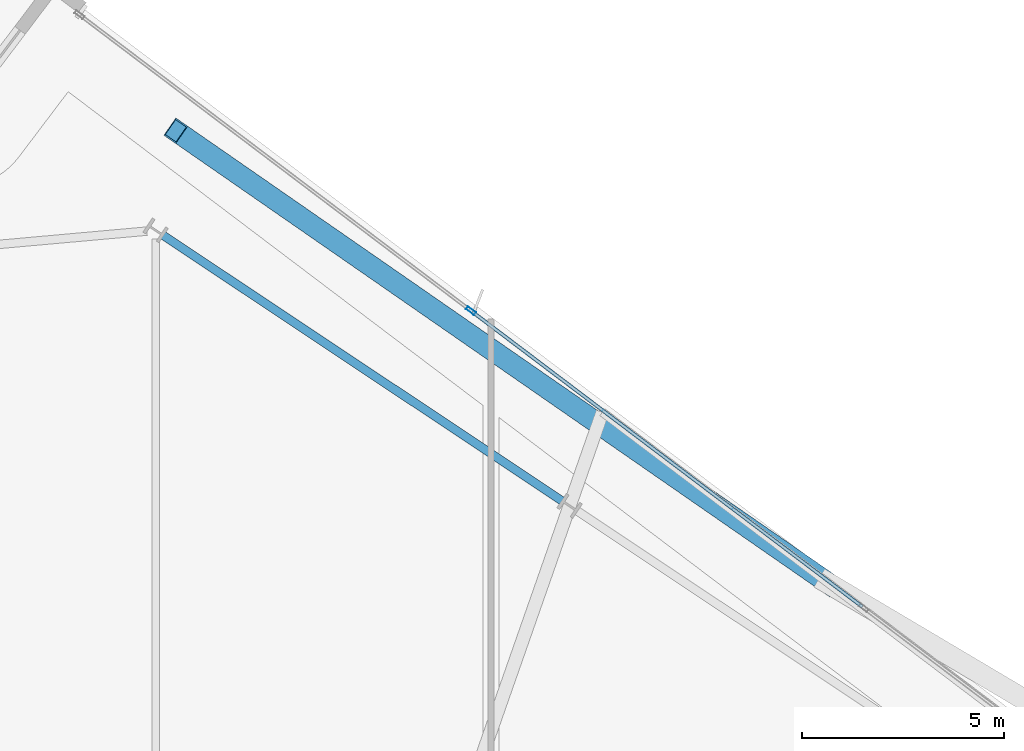
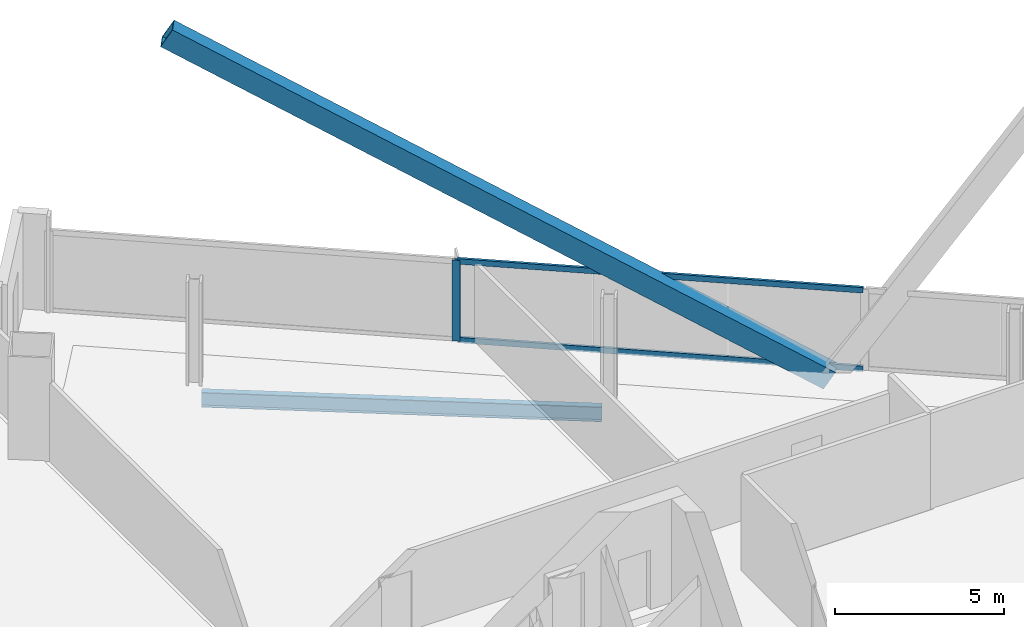
# One storey, part 24 of 34: 4 members, 1 beam, 1 element without a shape of its own.
"""IFC4 building model written with IfcOpenShell, lengths in metres."""

from ifc_helpers import new_model, si_unit, direction, frame, origin, origin_2d, place, context, subcontext, project, spatial, hollow_rectangle, i_section, extrude, material, material_profile, profile_set, type_object, element, aggregate, save


model = new_model("IFC4")

# Units and contexts
model_context = context("Model", 3, precision=1e-05, world=origin(), true_north=direction((0.0, 1.0)))
body_context = subcontext(model_context, "Body", "Model", "MODEL_VIEW")
ifc_project = project(units=[si_unit("LENGTHUNIT", "METRE"), si_unit("AREAUNIT", "SQUARE_METRE"), si_unit("VOLUMEUNIT", "CUBIC_METRE"), si_unit("PLANEANGLEUNIT", "RADIAN"), si_unit("MASSUNIT", "GRAM", prefix="KILO")], contexts=[model_context])

# Site, building, storey
site_placement = place(None, origin())
site = spatial("IfcSite", under=ifc_project, at=site_placement, CompositionType="ELEMENT")
building_placement = place(site_placement, origin())
building = spatial("IfcBuilding", under=site, at=building_placement, Name="Haldenkirk Collegiate Tower", CompositionType="ELEMENT")
storey_placement = place(building_placement, frame((0.0, 0.0, 205.949951171875)))
storey = spatial("IfcBuildingStorey", under=building, at=storey_placement, Name="L51", CompositionType="ELEMENT", Elevation=205.949951171875)

# Beam
ifc_material_1 = material(Name="Steel ASTM A992 Grade 50", Category="steel")
ifc_material_profile_1 = material_profile(ifc_material_1, i_section(OverallWidth=0.2099609375, OverallDepth=0.537109375, WebThickness=0.010986328125, FlangeThickness=0.017333984375, at=origin_2d()), Name="W21X68")
ifc_profile_set_1 = profile_set([ifc_material_profile_1], Name="Steel ASTM A992 Grade 50")
beam_type = type_object("IfcBeamType", Name="BM-SPANDREL-W21X68", PredefinedType="SPANDREL", material=ifc_profile_set_1)
beam_placement = place(storey_placement, frame((48.266845703125, 43.96240234375, -0.54833984375), z_axis=(-0.832429330124, 0.554131221237, 0.0), x_axis=(-0.554131221237, -0.832429330124, 0.0)))
element("IfcBeam", 1, at=beam_placement, inside=storey, type_object=beam_type, Name="L51 perimeter spandrel beam 07", PredefinedType="SPANDREL", context=body_context, shape_type="SweptSolid", body=[
    extrude(i_section(OverallWidth=0.2099609375, OverallDepth=0.537109375, WebThickness=0.010986328125, FlangeThickness=0.017333984375, at=origin_2d()), origin(), (0.0, 0.0, 1.0), 11.88525390625),
])

# Curtain wall, members
ifc_material_2 = material(Name="Anodised architectural bronze aluminium", Category="aluminium")
curtain_wall_type = type_object("IfcCurtainWallType", Name="CW-SYS1B-CONVEX-HI", PredefinedType="USERDEFINED", material=ifc_material_2)
curtain_wall_placement = place(storey_placement, origin())
curtain_wall = element("IfcCurtainWall", 2, at=curtain_wall_placement, inside=storey, type_object=curtain_wall_type, Name="L51 Upper tower high-wind convex bronze unitised curtain wall", ObjectType="UNITISED CURTAIN WALL", PredefinedType="USERDEFINED")
ifc_material_profile_2 = material_profile(ifc_material_2, hollow_rectangle(XDim=0.0849609375, YDim=0.25, WallThickness=0.0048828125, at=origin_2d()), Name="CW-MUL-1B")
ifc_profile_set_2 = profile_set([ifc_material_profile_2], Name="Anodised architectural bronze aluminium")
member_type_1 = type_object("IfcMemberType", Name="CW-MUL-1B", PredefinedType="MULLION", material=ifc_profile_set_2)
member_1_placement = place(storey_placement, frame((46.003173828125, 48.676025390625, 0.0), z_axis=(0.0, 0.0, 1.0), x_axis=(0.603207402306, 0.797584371589, 0.0)))
member_1 = element("IfcMember", 3, at=member_1_placement, type_object=member_type_1, Name="CW-1B mullion 2", PredefinedType="MULLION", context=body_context, shape_type="SweptSolid", body=[
    extrude(hollow_rectangle(XDim=0.0849609375, YDim=0.25, WallThickness=0.0048828125, at=origin_2d()), origin(), (0.0, 0.0, 1.0), 2.927978515625),
])
ifc_material_profile_3 = material_profile(ifc_material_2, hollow_rectangle(XDim=0.0849609375, YDim=0.199951171875, WallThickness=0.0048828125, at=origin_2d()), Name="CW-TRN-1B")
ifc_profile_set_3 = profile_set([ifc_material_profile_3], Name="Anodised architectural bronze aluminium")
member_type_2 = type_object("IfcMemberType", Name="CW-TRN-1B", PredefinedType="USERDEFINED", material=ifc_profile_set_3)
member_2_placement = place(storey_placement, frame((46.037109375, 48.650390625, 0.04248046875), z_axis=(0.797580111822, -0.603213034695, 0.0), x_axis=(0.603213034695, 0.797580111822, 0.0)))
member_2 = element("IfcMember", 4, at=member_2_placement, type_object=member_type_2, Name="CW-1B transom 2.1", ObjectType="TRANSOM", PredefinedType="USERDEFINED", context=body_context, shape_type="SweptSolid", body=[
    extrude(hollow_rectangle(XDim=0.0849609375, YDim=0.199951171875, WallThickness=0.0048828125, at=origin_2d()), origin(), (0.0, 0.0, 1.0), 12.114990234375),
])
member_3_placement = place(storey_placement, frame((46.037109375, 48.650390625, 2.885498046875), z_axis=(0.797580111822, -0.603213034695, 0.0), x_axis=(0.603213034695, 0.797580111822, 0.0)))
member_3 = element("IfcMember", 5, at=member_3_placement, type_object=member_type_2, Name="CW-1B transom 2.2", ObjectType="TRANSOM", PredefinedType="USERDEFINED", context=body_context, shape_type="SweptSolid", body=[
    extrude(hollow_rectangle(XDim=0.0849609375, YDim=0.199951171875, WallThickness=0.0048828125, at=origin_2d()), origin(), (0.0, 0.0, 1.0), 12.114990234375),
])
aggregate(curtain_wall, [member_1, member_2, member_3])

# Member
ifc_material_3 = material(Name="Steel ASTM A572 Grade 50", Category="steel")
ifc_material_profile_4 = material_profile(ifc_material_3, hollow_rectangle(XDim=0.52001953125, YDim=0.719970703125, WallThickness=0.035888671875, at=origin_2d()), Name="BOX720X520X36")
ifc_profile_set_4 = profile_set([ifc_material_profile_4], Name="Steel ASTM A572 Grade 50")
member_type_3 = type_object("IfcMemberType", Name="MBR-MEGABRACE-BOX720X520X36", PredefinedType="BRACE", material=ifc_profile_set_4)
member_4_placement = place(storey_placement, frame((54.892578125, 41.90283203125, -0.2900390625), z_axis=(-0.713752934829, 0.494863108228, 0.495648314977), x_axis=(-0.569775272529, -0.821800546857, 0.0)))
element("IfcMember", 6, at=member_4_placement, inside=storey, type_object=member_type_3, Name="Perimeter Mega Brace Z4 L51-L53 ER", PredefinedType="BRACE", context=body_context, shape_type="SweptSolid", body=[
    extrude(hollow_rectangle(XDim=0.52001953125, YDim=0.719970703125, WallThickness=0.035888671875, at=origin_2d()), origin(), (0.0, 0.0, 1.0), 22.697509765625),
])

save(model, "model.ifc")
